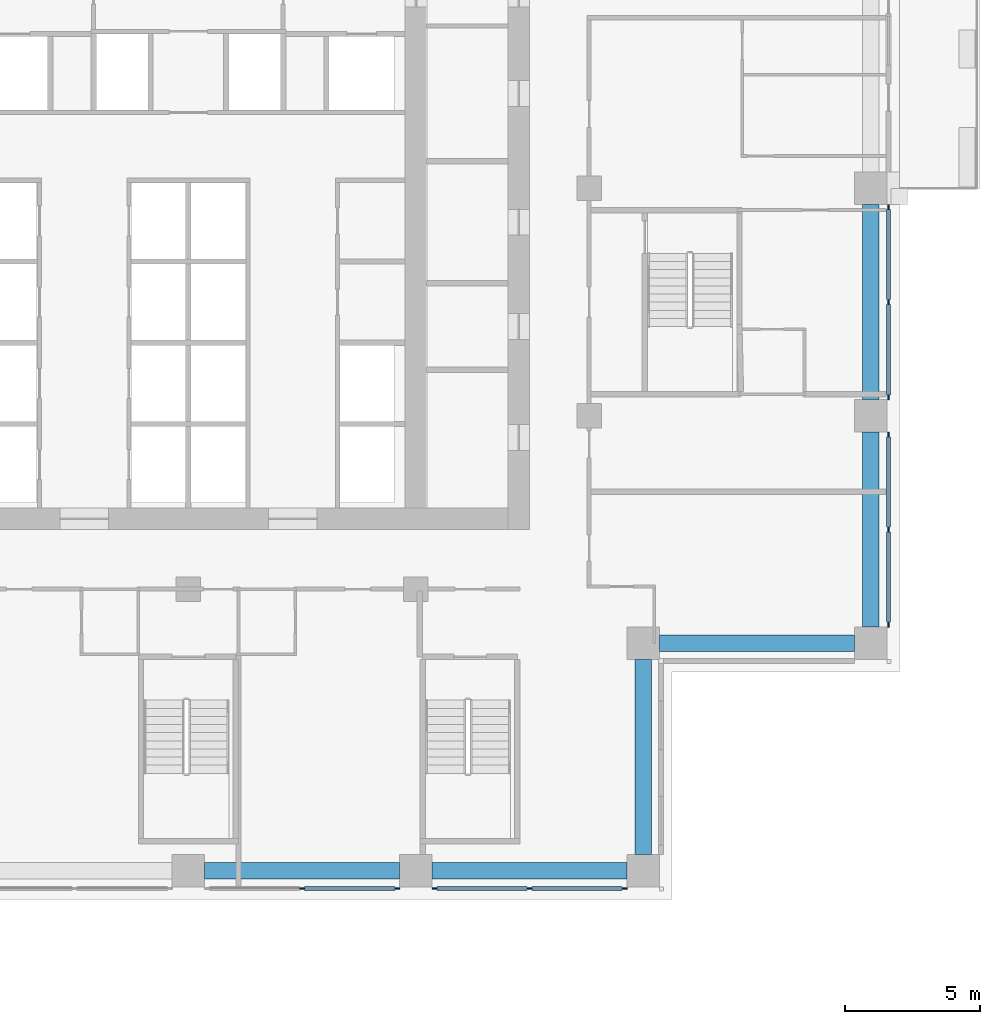
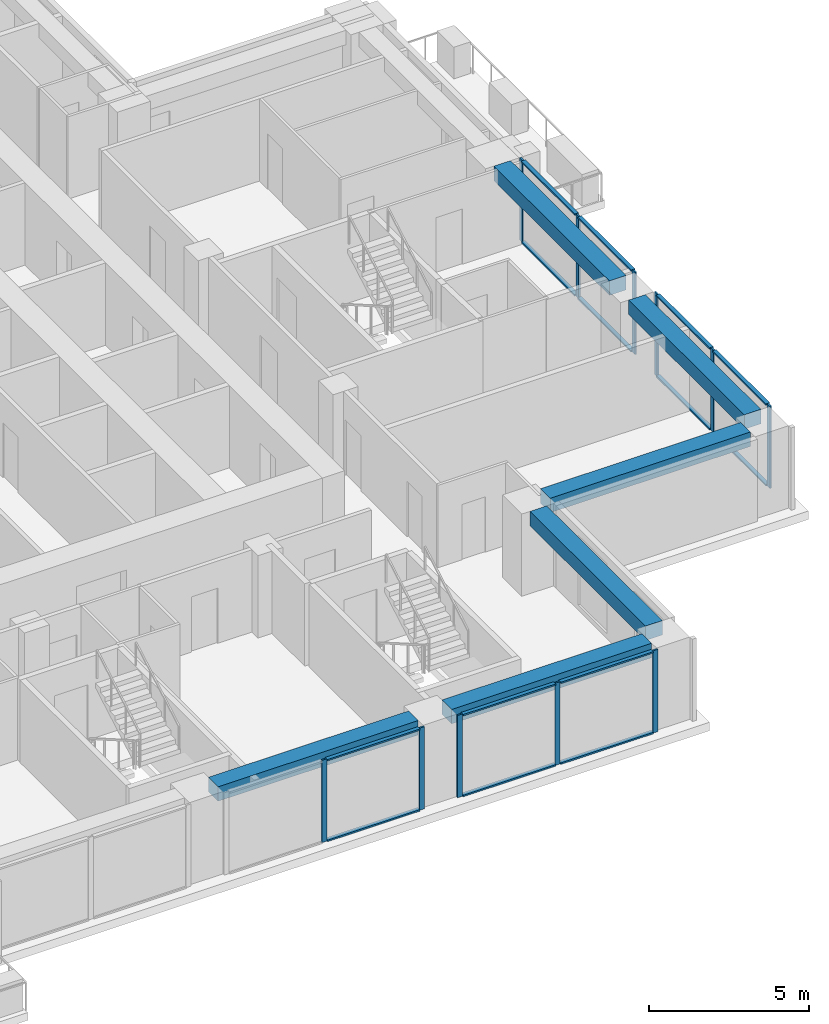
# One storey, part 4 of 17: 25 members, 6 beams, 4 elements without a shape of their own.
"""IFC4 building model written with IfcOpenShell, lengths in metres."""

from ifc_helpers import new_model, si_unit, direction, frame, origin, origin_2d, place, context, subcontext, project, spatial, rectangle, extrude, material, material_profile, profile_set, type_object, element, aggregate, save


model = new_model("IFC4")

# Units and contexts
model_context = context("Model", 3, precision=1e-05, world=origin(), true_north=direction((0.0, 1.0)))
body_context = subcontext(model_context, "Body", "Model", "MODEL_VIEW")
ifc_project = project(units=[si_unit("LENGTHUNIT", "METRE"), si_unit("AREAUNIT", "SQUARE_METRE"), si_unit("VOLUMEUNIT", "CUBIC_METRE"), si_unit("PLANEANGLEUNIT", "RADIAN"), si_unit("MASSUNIT", "GRAM", prefix="KILO")], contexts=[model_context])

# Site, building, storey
site_placement = place(None, origin())
site = spatial("IfcSite", under=ifc_project, at=site_placement, CompositionType="ELEMENT")
building_placement = place(site_placement, origin())
building = spatial("IfcBuilding", under=site, at=building_placement, Name="Vermilion Ogive Tower", CompositionType="ELEMENT")
storey_placement = place(building_placement, frame((0.0, 0.0, 83.85009765625)))
storey = spatial("IfcBuildingStorey", under=building, at=storey_placement, Name="L20", CompositionType="ELEMENT", Elevation=83.85009765625)

# Curtain wall, members
ifc_material_1 = material(Name="Low-iron laminated glazing in aluminium frame", Category="aluminium")
curtain_wall_type = type_object("IfcCurtainWallType", Name="Curtain wall CW7", PredefinedType="NOTDEFINED", material=ifc_material_1)
curtain_wall_1_placement = place(storey_placement, origin())
curtain_wall_1 = element("IfcCurtainWall", 1, at=curtain_wall_1_placement, inside=storey, type_object=curtain_wall_type, Name="Glazed skin S3", PredefinedType="NOTDEFINED")
ifc_material_2 = material(Name="Aluminium mullion", Category="aluminium")
ifc_material_profile_1 = material_profile(ifc_material_2, rectangle(XDim=0.06005859375, YDim=0.179931640625, at=origin_2d()), Name="AL 60x180")
ifc_profile_set_1 = profile_set([ifc_material_profile_1], Name="Aluminium mullion")
member_type_1 = type_object("IfcMemberType", Name="CW7 mullion 60x180", PredefinedType="MULLION", material=ifc_profile_set_1)
member_1_placement = place(storey_placement, frame((4.199951171875, -21.64990234375, 0.0), z_axis=(0.0, 0.0, 1.0), x_axis=(0.0, 1.0, 0.0)))
member_1 = element("IfcMember", 2, at=member_1_placement, type_object=member_type_1, Name="CW7-S3 mullion 2", PredefinedType="MULLION", context=body_context, shape_type="SweptSolid", body=[
    extrude(rectangle(XDim=0.06005859375, YDim=0.179931640625, at=origin_2d()), origin(), (0.0, 0.0, 1.0), 3.1298828125),
])
member_2_placement = place(storey_placement, frame((7.7099609375, -21.64990234375, 0.0), z_axis=(0.0, 0.0, 1.0), x_axis=(0.0, 1.0, 0.0)))
member_2 = element("IfcMember", 3, at=member_2_placement, type_object=member_type_1, Name="CW7-S3 mullion 3", PredefinedType="MULLION", context=body_context, shape_type="SweptSolid", body=[
    extrude(rectangle(XDim=0.06005859375, YDim=0.179931640625, at=origin_2d()), origin(), (0.0, 0.0, 1.0), 3.1298828125),
])

curtain_wall_2_placement = place(storey_placement, origin())
curtain_wall_2 = element("IfcCurtainWall", 4, at=curtain_wall_2_placement, inside=storey, type_object=curtain_wall_type, Name="Glazed skin S4", PredefinedType="NOTDEFINED")
member_3_placement = place(storey_placement, frame((9.090087890625, -21.64990234375, 0.0), z_axis=(0.0, 0.0, 1.0), x_axis=(0.0, 1.0, 0.0)))
member_3 = element("IfcMember", 5, at=member_3_placement, type_object=member_type_1, Name="CW7-S4 mullion 1", PredefinedType="MULLION", context=body_context, shape_type="SweptSolid", body=[
    extrude(rectangle(XDim=0.06005859375, YDim=0.179931640625, at=origin_2d()), origin(), (0.0, 0.0, 1.0), 3.1298828125),
])
member_4_placement = place(storey_placement, frame((12.60009765625, -21.64990234375, 0.0), z_axis=(0.0, 0.0, 1.0), x_axis=(0.0, 1.0, 0.0)))
member_4 = element("IfcMember", 6, at=member_4_placement, type_object=member_type_1, Name="CW7-S4 mullion 2", PredefinedType="MULLION", context=body_context, shape_type="SweptSolid", body=[
    extrude(rectangle(XDim=0.06005859375, YDim=0.179931640625, at=origin_2d()), origin(), (0.0, 0.0, 1.0), 3.1298828125),
])
member_5_placement = place(storey_placement, frame((16.110107421875, -21.64990234375, 0.0), z_axis=(0.0, 0.0, 1.0), x_axis=(0.0, 1.0, 0.0)))
member_5 = element("IfcMember", 7, at=member_5_placement, type_object=member_type_1, Name="CW7-S4 mullion 3", PredefinedType="MULLION", context=body_context, shape_type="SweptSolid", body=[
    extrude(rectangle(XDim=0.06005859375, YDim=0.179931640625, at=origin_2d()), origin(), (0.0, 0.0, 1.0), 3.1298828125),
])

curtain_wall_3_placement = place(storey_placement, origin())
curtain_wall_3 = element("IfcCurtainWall", 8, at=curtain_wall_3_placement, inside=storey, type_object=curtain_wall_type, Name="Glazed skin E1", PredefinedType="NOTDEFINED")
member_6_placement = place(storey_placement, frame((25.85009765625, -11.909912109375, 0.0), z_axis=(0.0, 0.0, 1.0), x_axis=(-1.0, 0.0, 0.0)))
member_6 = element("IfcMember", 9, at=member_6_placement, type_object=member_type_1, Name="CW7-E1 mullion 1", PredefinedType="MULLION", context=body_context, shape_type="SweptSolid", body=[
    extrude(rectangle(XDim=0.06005859375, YDim=0.179931640625, at=origin_2d()), origin(), (0.0, 0.0, 1.0), 3.1298828125),
])
member_7_placement = place(storey_placement, frame((25.85009765625, -8.39990234375, 0.0), z_axis=(0.0, 0.0, 1.0), x_axis=(-1.0, 0.0, 0.0)))
member_7 = element("IfcMember", 10, at=member_7_placement, type_object=member_type_1, Name="CW7-E1 mullion 2", PredefinedType="MULLION", context=body_context, shape_type="SweptSolid", body=[
    extrude(rectangle(XDim=0.06005859375, YDim=0.179931640625, at=origin_2d()), origin(), (0.0, 0.0, 1.0), 3.1298828125),
])
member_8_placement = place(storey_placement, frame((25.85009765625, -4.889892578125, 0.0), z_axis=(0.0, 0.0, 1.0), x_axis=(-1.0, 0.0, 0.0)))
member_8 = element("IfcMember", 11, at=member_8_placement, type_object=member_type_1, Name="CW7-E1 mullion 3", PredefinedType="MULLION", context=body_context, shape_type="SweptSolid", body=[
    extrude(rectangle(XDim=0.06005859375, YDim=0.179931640625, at=origin_2d()), origin(), (0.0, 0.0, 1.0), 3.1298828125),
])

curtain_wall_4_placement = place(storey_placement, origin())
curtain_wall_4 = element("IfcCurtainWall", 12, at=curtain_wall_4_placement, inside=storey, type_object=curtain_wall_type, Name="Glazed skin E2", PredefinedType="NOTDEFINED")
member_9_placement = place(storey_placement, frame((25.85009765625, -3.510009765625, 0.0), z_axis=(0.0, 0.0, 1.0), x_axis=(-1.0, 0.0, 0.0)))
member_9 = element("IfcMember", 13, at=member_9_placement, type_object=member_type_1, Name="CW7-E2 mullion 1", PredefinedType="MULLION", context=body_context, shape_type="SweptSolid", body=[
    extrude(rectangle(XDim=0.06005859375, YDim=0.179931640625, at=origin_2d()), origin(), (0.0, 0.0, 1.0), 3.1298828125),
])
member_10_placement = place(storey_placement, frame((25.85009765625, 0.0, 0.0), z_axis=(0.0, 0.0, 1.0), x_axis=(-1.0, 0.0, 0.0)))
member_10 = element("IfcMember", 14, at=member_10_placement, type_object=member_type_1, Name="CW7-E2 mullion 2", PredefinedType="MULLION", context=body_context, shape_type="SweptSolid", body=[
    extrude(rectangle(XDim=0.06005859375, YDim=0.179931640625, at=origin_2d()), origin(), (0.0, 0.0, 1.0), 3.1298828125),
])
member_11_placement = place(storey_placement, frame((25.85009765625, 3.510009765625, 0.0), z_axis=(0.0, 0.0, 1.0), x_axis=(-1.0, 0.0, 0.0)))
member_11 = element("IfcMember", 15, at=member_11_placement, type_object=member_type_1, Name="CW7-E2 mullion 3", PredefinedType="MULLION", context=body_context, shape_type="SweptSolid", body=[
    extrude(rectangle(XDim=0.06005859375, YDim=0.179931640625, at=origin_2d()), origin(), (0.0, 0.0, 1.0), 3.1298828125),
])

# Member
ifc_material_3 = material(Name="Aluminium transom", Category="aluminium")
ifc_material_profile_2 = material_profile(ifc_material_3, rectangle(XDim=0.139892578125, YDim=0.06005859375, at=origin_2d()), Name="AL 60x140")
ifc_profile_set_2 = profile_set([ifc_material_profile_2], Name="Aluminium transom")
member_type_2 = type_object("IfcMemberType", Name="CW7 transom 60x140", PredefinedType="USERDEFINED", material=ifc_profile_set_2)
member_12_placement = place(storey_placement, frame((4.2900390625, -21.64990234375, 0.02978515625), z_axis=(1.0, 0.0, 0.0), x_axis=(0.0, 1.0, 0.0)))
member_12 = element("IfcMember", 16, at=member_12_placement, type_object=member_type_2, Name="CW7-S3 transom 2.1", ObjectType="TRANSOM", PredefinedType="USERDEFINED", context=body_context, shape_type="SweptSolid", body=[
    extrude(rectangle(XDim=0.139892578125, YDim=0.06005859375, at=origin_2d()), origin(), (0.0, 0.0, 1.0), 3.330078125),
])

member_13_placement = place(storey_placement, frame((4.2900390625, -21.64990234375, 3.099853515625), z_axis=(1.0, 0.0, 0.0), x_axis=(0.0, 1.0, 0.0)))
member_13 = element("IfcMember", 17, at=member_13_placement, type_object=member_type_2, Name="CW7-S3 transom 2.2", ObjectType="TRANSOM", PredefinedType="USERDEFINED", context=body_context, shape_type="SweptSolid", body=[
    extrude(rectangle(XDim=0.139892578125, YDim=0.06005859375, at=origin_2d()), origin(), (0.0, 0.0, 1.0), 3.330078125),
])

aggregate(curtain_wall_1, [member_1, member_2, member_12, member_13])

member_14_placement = place(storey_placement, frame((9.179931640625, -21.64990234375, 0.02978515625), z_axis=(1.0, 0.0, 0.0), x_axis=(0.0, 1.0, 0.0)))
member_14 = element("IfcMember", 18, at=member_14_placement, type_object=member_type_2, Name="CW7-S4 transom 1.1", ObjectType="TRANSOM", PredefinedType="USERDEFINED", context=body_context, shape_type="SweptSolid", body=[
    extrude(rectangle(XDim=0.139892578125, YDim=0.06005859375, at=origin_2d()), origin(), (0.0, 0.0, 1.0), 3.330078125),
])

member_15_placement = place(storey_placement, frame((9.179931640625, -21.64990234375, 3.099853515625), z_axis=(1.0, 0.0, 0.0), x_axis=(0.0, 1.0, 0.0)))
member_15 = element("IfcMember", 19, at=member_15_placement, type_object=member_type_2, Name="CW7-S4 transom 1.2", ObjectType="TRANSOM", PredefinedType="USERDEFINED", context=body_context, shape_type="SweptSolid", body=[
    extrude(rectangle(XDim=0.139892578125, YDim=0.06005859375, at=origin_2d()), origin(), (0.0, 0.0, 1.0), 3.330078125),
])

member_16_placement = place(storey_placement, frame((12.68994140625, -21.64990234375, 0.02978515625), z_axis=(1.0, 0.0, 0.0), x_axis=(0.0, 1.0, 0.0)))
member_16 = element("IfcMember", 20, at=member_16_placement, type_object=member_type_2, Name="CW7-S4 transom 2.1", ObjectType="TRANSOM", PredefinedType="USERDEFINED", context=body_context, shape_type="SweptSolid", body=[
    extrude(rectangle(XDim=0.139892578125, YDim=0.06005859375, at=origin_2d()), origin(), (0.0, 0.0, 1.0), 3.330078125),
])

member_17_placement = place(storey_placement, frame((12.68994140625, -21.64990234375, 3.099853515625), z_axis=(1.0, 0.0, 0.0), x_axis=(0.0, 1.0, 0.0)))
member_17 = element("IfcMember", 21, at=member_17_placement, type_object=member_type_2, Name="CW7-S4 transom 2.2", ObjectType="TRANSOM", PredefinedType="USERDEFINED", context=body_context, shape_type="SweptSolid", body=[
    extrude(rectangle(XDim=0.139892578125, YDim=0.06005859375, at=origin_2d()), origin(), (0.0, 0.0, 1.0), 3.330078125),
])

aggregate(curtain_wall_2, [member_3, member_4, member_5, member_14, member_15, member_16, member_17])

member_18_placement = place(storey_placement, frame((25.85009765625, -11.820068359375, 0.02978515625), z_axis=(0.0, 1.0, 0.0), x_axis=(-1.0, 0.0, 0.0)))
member_18 = element("IfcMember", 22, at=member_18_placement, type_object=member_type_2, Name="CW7-E1 transom 1.1", ObjectType="TRANSOM", PredefinedType="USERDEFINED", context=body_context, shape_type="SweptSolid", body=[
    extrude(rectangle(XDim=0.139892578125, YDim=0.06005859375, at=origin_2d()), origin(), (0.0, 0.0, 1.0), 3.330078125),
])

member_19_placement = place(storey_placement, frame((25.85009765625, -11.820068359375, 3.099853515625), z_axis=(0.0, 1.0, 0.0), x_axis=(-1.0, 0.0, 0.0)))
member_19 = element("IfcMember", 23, at=member_19_placement, type_object=member_type_2, Name="CW7-E1 transom 1.2", ObjectType="TRANSOM", PredefinedType="USERDEFINED", context=body_context, shape_type="SweptSolid", body=[
    extrude(rectangle(XDim=0.139892578125, YDim=0.06005859375, at=origin_2d()), origin(), (0.0, 0.0, 1.0), 3.330078125),
])

member_20_placement = place(storey_placement, frame((25.85009765625, -8.31005859375, 0.02978515625), z_axis=(0.0, 1.0, 0.0), x_axis=(-1.0, 0.0, 0.0)))
member_20 = element("IfcMember", 24, at=member_20_placement, type_object=member_type_2, Name="CW7-E1 transom 2.1", ObjectType="TRANSOM", PredefinedType="USERDEFINED", context=body_context, shape_type="SweptSolid", body=[
    extrude(rectangle(XDim=0.139892578125, YDim=0.06005859375, at=origin_2d()), origin(), (0.0, 0.0, 1.0), 3.330078125),
])

member_21_placement = place(storey_placement, frame((25.85009765625, -8.31005859375, 3.099853515625), z_axis=(0.0, 1.0, 0.0), x_axis=(-1.0, 0.0, 0.0)))
member_21 = element("IfcMember", 25, at=member_21_placement, type_object=member_type_2, Name="CW7-E1 transom 2.2", ObjectType="TRANSOM", PredefinedType="USERDEFINED", context=body_context, shape_type="SweptSolid", body=[
    extrude(rectangle(XDim=0.139892578125, YDim=0.06005859375, at=origin_2d()), origin(), (0.0, 0.0, 1.0), 3.330078125),
])

aggregate(curtain_wall_3, [member_6, member_7, member_8, member_18, member_19, member_20, member_21])

member_22_placement = place(storey_placement, frame((25.85009765625, -3.419921875, 0.02978515625), z_axis=(0.0, 1.0, 0.0), x_axis=(-1.0, 0.0, 0.0)))
member_22 = element("IfcMember", 26, at=member_22_placement, type_object=member_type_2, Name="CW7-E2 transom 1.1", ObjectType="TRANSOM", PredefinedType="USERDEFINED", context=body_context, shape_type="SweptSolid", body=[
    extrude(rectangle(XDim=0.139892578125, YDim=0.06005859375, at=origin_2d()), origin(), (0.0, 0.0, 1.0), 3.329833984375),
])

member_23_placement = place(storey_placement, frame((25.85009765625, -3.419921875, 3.099853515625), z_axis=(0.0, 1.0, 0.0), x_axis=(-1.0, 0.0, 0.0)))
member_23 = element("IfcMember", 27, at=member_23_placement, type_object=member_type_2, Name="CW7-E2 transom 1.2", ObjectType="TRANSOM", PredefinedType="USERDEFINED", context=body_context, shape_type="SweptSolid", body=[
    extrude(rectangle(XDim=0.139892578125, YDim=0.06005859375, at=origin_2d()), origin(), (0.0, 0.0, 1.0), 3.329833984375),
])

member_24_placement = place(storey_placement, frame((25.85009765625, 0.090087890625, 0.02978515625), z_axis=(0.0, 1.0, 0.0), x_axis=(-1.0, 0.0, 0.0)))
member_24 = element("IfcMember", 28, at=member_24_placement, type_object=member_type_2, Name="CW7-E2 transom 2.1", ObjectType="TRANSOM", PredefinedType="USERDEFINED", context=body_context, shape_type="SweptSolid", body=[
    extrude(rectangle(XDim=0.139892578125, YDim=0.06005859375, at=origin_2d()), origin(), (0.0, 0.0, 1.0), 3.329833984375),
])

member_25_placement = place(storey_placement, frame((25.85009765625, 0.090087890625, 3.099853515625), z_axis=(0.0, 1.0, 0.0), x_axis=(-1.0, 0.0, 0.0)))
member_25 = element("IfcMember", 29, at=member_25_placement, type_object=member_type_2, Name="CW7-E2 transom 2.2", ObjectType="TRANSOM", PredefinedType="USERDEFINED", context=body_context, shape_type="SweptSolid", body=[
    extrude(rectangle(XDim=0.139892578125, YDim=0.06005859375, at=origin_2d()), origin(), (0.0, 0.0, 1.0), 3.329833984375),
])

aggregate(curtain_wall_4, [member_9, member_10, member_11, member_22, member_23, member_24, member_25])

# Beams
ifc_material_4 = material(Name="Concrete B45", Category="concrete")
ifc_material_profile_3 = material_profile(ifc_material_4, rectangle(XDim=0.60009765625, YDim=0.550048828125, at=origin_2d()), Name="600 x 550")
ifc_profile_set_3 = profile_set([ifc_material_profile_3], Name="Concrete B45")
beam_type = type_object("IfcBeamType", Name="Edge beam 600 x 550 B45", PredefinedType="BEAM", material=ifc_profile_set_3)
for number, where, z_axis, x_axis, name in (
    (30, (0.60009765625, -21.0, 2.85498046875), (1.0, 0.0, 0.0), (0.0, 1.0, 0.0), "L20-EB-3"),
    (31, (9.0, -21.0, 2.85498046875), (1.0, 0.0, 0.0), (0.0, 1.0, 0.0), "L20-EB-4"),
    (32, (16.800048828125, -20.39990234375, 2.85498046875), (0.0, 1.0, 0.0), (-1.0, 0.0, 0.0), "L20-EB-5"),
):
    element("IfcBeam", number, at=place(storey_placement, frame(where, z_axis=z_axis, x_axis=x_axis)), inside=storey, type_object=beam_type, Name=name, PredefinedType="BEAM", context=body_context, shape_type="SweptSolid", body=[
        extrude(rectangle(XDim=0.60009765625, YDim=0.550048828125, at=origin_2d()), origin(), (0.0, 0.0, 1.0), 7.199951171875),
    ])
beam_1_placement = place(storey_placement, frame((17.39990234375, -12.60009765625, 2.85498046875), z_axis=(1.0, 0.0, 0.0), x_axis=(0.0, 1.0, 0.0)))
element("IfcBeam", 33, at=beam_1_placement, inside=storey, type_object=beam_type, Name="L20-EB-6", PredefinedType="BEAM", context=body_context, shape_type="SweptSolid", body=[
    extrude(rectangle(XDim=0.60009765625, YDim=0.550048828125, at=origin_2d()), origin(), (0.0, 0.0, 1.0), 7.2001953125),
])
beam_2_placement = place(storey_placement, frame((25.199951171875, -12.0, 2.85498046875), z_axis=(0.0, 1.0, 0.0), x_axis=(-1.0, 0.0, 0.0)))
element("IfcBeam", 34, at=beam_2_placement, inside=storey, type_object=beam_type, Name="L20-EB-7", PredefinedType="BEAM", context=body_context, shape_type="SweptSolid", body=[
    extrude(rectangle(XDim=0.60009765625, YDim=0.550048828125, at=origin_2d()), origin(), (0.0, 0.0, 1.0), 7.199951171875),
])
beam_3_placement = place(storey_placement, frame((25.199951171875, -3.60009765625, 2.85498046875), z_axis=(0.0, 1.0, 0.0), x_axis=(-1.0, 0.0, 0.0)))
element("IfcBeam", 35, at=beam_3_placement, inside=storey, type_object=beam_type, Name="L20-EB-8", PredefinedType="BEAM", context=body_context, shape_type="SweptSolid", body=[
    extrude(rectangle(XDim=0.60009765625, YDim=0.550048828125, at=origin_2d()), origin(), (0.0, 0.0, 1.0), 7.2001953125),
])

save(model, "model.ifc")
